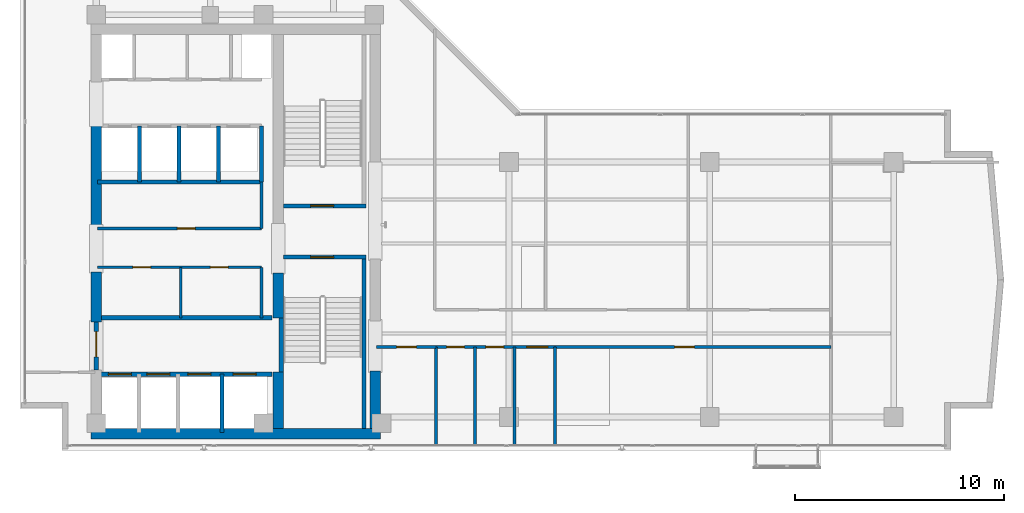
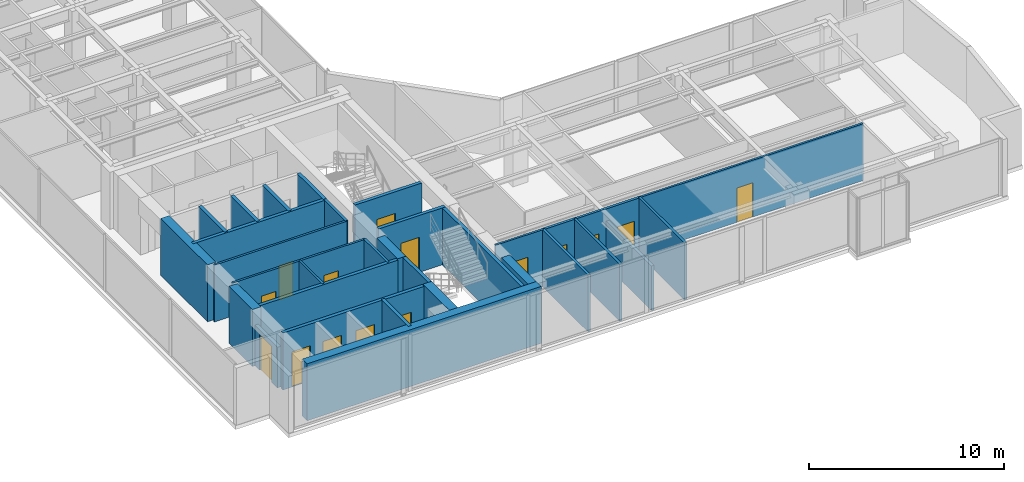
# One storey, part 16 of 23: 31 walls, 15 doors, 15 openings.
"""IFC4 building model written with IfcOpenShell, lengths in metres."""

from ifc_helpers import new_model, si_unit, direction, frame, frame_2d, origin, place, context, subcontext, project, spatial, rectangle, extrude, material, layer, layer_set, type_object, element, fill, save


model = new_model("IFC4")

# Units and contexts
model_context = context("Model", 3, precision=1e-05, world=origin(), true_north=direction((0.0, 1.0)))
body_context = subcontext(model_context, "Body", "Model", "MODEL_VIEW")
ifc_project = project(units=[si_unit("LENGTHUNIT", "METRE"), si_unit("AREAUNIT", "SQUARE_METRE"), si_unit("VOLUMEUNIT", "CUBIC_METRE"), si_unit("PLANEANGLEUNIT", "RADIAN"), si_unit("MASSUNIT", "GRAM", prefix="KILO")], contexts=[model_context])

# Site, building, storey
site_placement = place(None, origin())
site = spatial("IfcSite", under=ifc_project, at=site_placement, CompositionType="ELEMENT")
building_placement = place(site_placement, origin())
building = spatial("IfcBuilding", under=site, at=building_placement, Name="Kolvaren Waterfront Exchange", CompositionType="ELEMENT")
storey_placement = place(building_placement, frame((0.0, 0.0, 289.39990234375)))
storey = spatial("IfcBuildingStorey", under=building, at=storey_placement, Name="L74", CompositionType="ELEMENT", Elevation=289.39990234375)

# Wall, opening, door
ifc_material_1 = material(Name="Precast concrete C40/50", Category="concrete")
ifc_layer_1 = layer(ifc_material_1, 0.199951171875, Name="Precast concrete C40/50")
ifc_layer_set_1 = layer_set([ifc_layer_1], Name="Precast concrete C40/50")
wall_type_1 = type_object("IfcWallType", Name="ARC-FIRE-200", PredefinedType="PARTITIONING", material=ifc_layer_set_1)
wall_1_placement = place(storey_placement, frame((16.39990234375, 12.85009765625, 0.0), z_axis=(0.0, 0.0, 1.0), x_axis=(1.0, 0.0, 0.0)))
wall_1 = element("IfcWall", 1, at=wall_1_placement, inside=storey, type_object=wall_type_1, Name="L74 interior wall PW-L74-ST1-THROAT-S", PredefinedType="PARTITIONING", context=body_context, shape_type="SweptSolid", body=[
    extrude(rectangle(XDim=3.960205078125, YDim=0.199951171875, at=frame_2d((1.97998046875, 0.0))), origin(), (0.0, 0.0, 1.0), 3.56005859375),
])
opening_1_placement = place(wall_1_placement, frame((1.3037109375, 0.0, 0.0)))
opening_1 = element("IfcOpeningElement", 2, at=opening_1_placement, cuts=wall_1, Name="Opening FD2", PredefinedType="OPENING", context=body_context, shape_type="SweptSolid", body=[
    extrude(rectangle(XDim=1.10009765625, YDim=2.199951171875, at=frame_2d((0.550048828125, 1.10009765625))), frame((0.0, 0.10986328125, 0.0), z_axis=(0.0, -1.0, 0.0), x_axis=(1.0, 0.0, 0.0)), (0.0, 0.0, 1.0), 0.219970703125),
])
ifc_material_2 = material(Name="Pressed steel smoke-seal fire door", Category="steel")
door_type_1 = type_object("IfcDoorType", Name="ARC-FD-1100", OperationType="NOTDEFINED", PredefinedType="DOOR", material=ifc_material_2)
door_1_placement = place(opening_1_placement, frame((1.10009765625, 0.0, 0.0), z_axis=(0.0, 0.0, 1.0), x_axis=(-1.0, 0.0, 0.0)))
door_1 = element("IfcDoor", 3, at=door_1_placement, inside=storey, type_object=door_type_1, Name="L74 door DR-L74-ST1-IN (FD2)", OperationType="SINGLE_SWING_LEFT", OverallHeight=2.199951171875, OverallWidth=1.10009765625, PredefinedType="DOOR", context=body_context, shape_type="SweptSolid", body=[
    extrude(rectangle(XDim=1.10009765625, YDim=2.199951171875, at=frame_2d((0.550048828125, 1.10009765625))), frame((0.0, 0.02490234375, 0.0), z_axis=(0.0, -1.0, 0.0), x_axis=(1.0, 0.0, 0.0)), (0.0, 0.0, 1.0), 0.050048828125),
])
fill(opening_1, door_1)

wall_2_placement = place(storey_placement, frame((16.409912109375, 15.300048828125, 0.0), z_axis=(0.0, 0.0, 1.0), x_axis=(1.0, 0.0, 0.0)))
wall_2 = element("IfcWall", 4, at=wall_2_placement, inside=storey, type_object=wall_type_1, Name="L74 interior wall PW-L74-ST2-THROAT-N", PredefinedType="PARTITIONING", context=body_context, shape_type="SweptSolid", body=[
    extrude(rectangle(XDim=3.9501953125, YDim=0.199951171875, at=frame_2d((1.97509765625, 0.0))), origin(), (0.0, 0.0, 1.0), 3.56005859375),
])
opening_2_placement = place(wall_2_placement, frame((1.293701171875, 0.0, 0.0)))
opening_2 = element("IfcOpeningElement", 5, at=opening_2_placement, cuts=wall_2, Name="Opening FD2", PredefinedType="OPENING", context=body_context, shape_type="SweptSolid", body=[
    extrude(rectangle(XDim=1.10009765625, YDim=2.199951171875, at=frame_2d((0.550048828125, 1.10009765625))), frame((0.0, 0.10986328125, 0.0), z_axis=(0.0, -1.0, 0.0), x_axis=(1.0, 0.0, 0.0)), (0.0, 0.0, 1.0), 0.219970703125),
])
door_2_placement = place(opening_2_placement, origin())
door_2 = element("IfcDoor", 6, at=door_2_placement, inside=storey, type_object=door_type_1, Name="L74 door DR-L74-ST2-IN (FD2)", OperationType="SINGLE_SWING_RIGHT", OverallHeight=2.199951171875, OverallWidth=1.10009765625, PredefinedType="DOOR", context=body_context, shape_type="SweptSolid", body=[
    extrude(rectangle(XDim=1.10009765625, YDim=2.199951171875, at=frame_2d((0.550048828125, 1.10009765625))), frame((0.0, 0.02490234375, 0.0), z_axis=(0.0, -1.0, 0.0), x_axis=(1.0, 0.0, 0.0)), (0.0, 0.0, 1.0), 0.050048828125),
])
fill(opening_2, door_2)

# Wall
wall_3_placement = place(storey_placement, frame((7.5, 9.949951171875, 0.0), z_axis=(0.0, 0.0, 1.0), x_axis=(1.0, 0.0, 0.0)))
element("IfcWall", 7, at=wall_3_placement, inside=storey, type_object=wall_type_1, Name="L74 interior wall PW-L74-FF-N", PredefinedType="PARTITIONING", context=body_context, shape_type="SweptSolid", body=[
    extrude(rectangle(XDim=8.35009765625, YDim=0.199951171875, at=frame_2d((4.175048828125, 0.0))), origin(), (0.0, 0.0, 1.0), 3.56005859375),
])

# Wall, opening, door
wall_4_placement = place(storey_placement, frame((7.449951171875, 7.449951171875, 0.0), z_axis=(0.0, 0.0, 1.0), x_axis=(0.0, 1.0, 0.0)))
wall_4 = element("IfcWall", 8, at=wall_4_placement, inside=storey, type_object=wall_type_1, Name="L74 interior wall PW-L74-FF-W-DOOR", PredefinedType="PARTITIONING", context=body_context, shape_type="SweptSolid", body=[
    extrude(rectangle(XDim=2.300048828125, YDim=0.199951171875, at=frame_2d((1.14990234375, 0.0))), origin(), (0.0, 0.0, 1.0), 2.5400390625),
])
opening_3_placement = place(wall_4_placement, frame((0.63330078125, 0.0, 0.0)))
opening_3 = element("IfcOpeningElement", 9, at=opening_3_placement, cuts=wall_4, Name="Opening FD3", PredefinedType="OPENING", context=body_context, shape_type="SweptSolid", body=[
    extrude(rectangle(XDim=1.199951171875, YDim=2.25, at=frame_2d((0.60009765625, 1.125))), frame((0.0, 0.10986328125, 0.0), z_axis=(0.0, -1.0, 0.0), x_axis=(1.0, 0.0, 0.0)), (0.0, 0.0, 1.0), 0.219970703125),
])
ifc_material_3 = material(Name="Pressed steel fire door", Category="steel")
door_type_2 = type_object("IfcDoorType", Name="ARC-FD-1200", OperationType="NOTDEFINED", PredefinedType="DOOR", material=ifc_material_3)
door_3_placement = place(opening_3_placement, frame((1.199951171875, 0.0, 0.0), z_axis=(0.0, 0.0, 1.0), x_axis=(-1.0, 0.0, 0.0)))
door_3 = element("IfcDoor", 10, at=door_3_placement, inside=storey, type_object=door_type_2, Name="L74 door DR-L74-FF-OUT (FD3)", OperationType="SINGLE_SWING_LEFT", OverallHeight=2.25, OverallWidth=1.199951171875, PredefinedType="DOOR", context=body_context, shape_type="SweptSolid", body=[
    extrude(rectangle(XDim=1.199951171875, YDim=2.25, at=frame_2d((0.60009765625, 1.125))), frame((0.0, 0.02490234375, 0.0), z_axis=(0.0, -1.0, 0.0), x_axis=(1.0, 0.0, 0.0)), (0.0, 0.0, 1.0), 0.050048828125),
])
fill(opening_3, door_3)

# Wall, openings, doors
ifc_material_4 = material(Name="Acoustic gypsum steel stud", Category="steel")
ifc_layer_2 = layer(ifc_material_4, 0.125, Name="Acoustic gypsum steel stud")
ifc_layer_set_2 = layer_set([ifc_layer_2], Name="Acoustic gypsum steel stud")
wall_type_2 = type_object("IfcWallType", Name="ARC-PART-125", PredefinedType="PARTITIONING", material=ifc_layer_set_2)
wall_5_placement = place(storey_placement, frame((7.5, 12.360107421875, 0.0), z_axis=(0.0, 0.0, 1.0), x_axis=(1.0, 0.0, 0.0)))
wall_5 = element("IfcWall", 11, at=wall_5_placement, inside=storey, type_object=wall_type_2, Name="L74 interior wall PW-L74-REC-HI-S", PredefinedType="PARTITIONING", context=body_context, shape_type="SweptSolid", body=[
    extrude(rectangle(XDim=7.85009765625, YDim=0.125, at=frame_2d((3.925048828125, 0.0))), origin(), (0.0, 0.0, 1.0), 3.56005859375),
])
opening_4_placement = place(wall_5_placement, frame((1.699951171875, 0.0, 0.0)))
opening_4 = element("IfcOpeningElement", 12, at=opening_4_placement, cuts=wall_5, Name="Opening D01", PredefinedType="OPENING", context=body_context, shape_type="SweptSolid", body=[
    extrude(rectangle(XDim=0.85009765625, YDim=2.14990234375, at=frame_2d((0.425048828125, 1.074951171875))), frame((0.0, 0.072509765625, 0.0), z_axis=(0.0, -1.0, 0.0), x_axis=(1.0, 0.0, 0.0)), (0.0, 0.0, 1.0), 0.14501953125),
])
opening_5_placement = place(wall_5_placement, frame((5.41259765625, 0.0, 0.0)))
opening_5 = element("IfcOpeningElement", 13, at=opening_5_placement, cuts=wall_5, Name="Opening D01", PredefinedType="OPENING", context=body_context, shape_type="SweptSolid", body=[
    extrude(rectangle(XDim=0.85009765625, YDim=2.14990234375, at=frame_2d((0.425048828125, 1.074951171875))), frame((0.0, 0.072509765625, 0.0), z_axis=(0.0, -1.0, 0.0), x_axis=(1.0, 0.0, 0.0)), (0.0, 0.0, 1.0), 0.14501953125),
])
ifc_material_5 = material(Name="Oak veneer timber leaf", Category="wood")
door_type_3 = type_object("IfcDoorType", Name="ARC-DR-900", OperationType="NOTDEFINED", PredefinedType="DOOR", material=ifc_material_5)
door_4_placement = place(opening_4_placement, origin())
door_4 = element("IfcDoor", 14, at=door_4_placement, inside=storey, type_object=door_type_3, Name="L74 door DR-L74-REC-HI-D1 (D01)", OperationType="SINGLE_SWING_RIGHT", OverallHeight=2.14990234375, OverallWidth=0.85009765625, PredefinedType="DOOR", context=body_context, shape_type="SweptSolid", body=[
    extrude(rectangle(XDim=0.85009765625, YDim=2.14990234375, at=frame_2d((0.425048828125, 1.074951171875))), frame((0.0, 0.02490234375, 0.0), z_axis=(0.0, -1.0, 0.0), x_axis=(1.0, 0.0, 0.0)), (0.0, 0.0, 1.0), 0.050048828125),
])
fill(opening_4, door_4)
door_5_placement = place(opening_5_placement, origin())
door_5 = element("IfcDoor", 15, at=door_5_placement, inside=storey, type_object=door_type_3, Name="L74 door DR-L74-REC-HI-D2 (D01)", OperationType="SINGLE_SWING_LEFT", OverallHeight=2.14990234375, OverallWidth=0.85009765625, PredefinedType="DOOR", context=body_context, shape_type="SweptSolid", body=[
    extrude(rectangle(XDim=0.85009765625, YDim=2.14990234375, at=frame_2d((0.425048828125, 1.074951171875))), frame((0.0, 0.02490234375, 0.0), z_axis=(0.0, -1.0, 0.0), x_axis=(1.0, 0.0, 0.0)), (0.0, 0.0, 1.0), 0.050048828125),
])
fill(opening_5, door_5)

# Wall, opening, door
wall_6_placement = place(storey_placement, frame((7.5, 14.219970703125, 0.0), z_axis=(0.0, 0.0, 1.0), x_axis=(1.0, 0.0, 0.0)))
wall_6 = element("IfcWall", 16, at=wall_6_placement, inside=storey, type_object=wall_type_2, Name="L74 interior wall PW-L74-REC-HI-N", PredefinedType="PARTITIONING", context=body_context, shape_type="SweptSolid", body=[
    extrude(rectangle(XDim=7.85009765625, YDim=0.125, at=frame_2d((3.925048828125, 0.0))), origin(), (0.0, 0.0, 1.0), 3.56005859375),
])
opening_6_placement = place(wall_6_placement, frame((3.824951171875, 0.0, 0.0)))
opening_6 = element("IfcOpeningElement", 17, at=opening_6_placement, cuts=wall_6, Name="Opening D01", PredefinedType="OPENING", context=body_context, shape_type="SweptSolid", body=[
    extrude(rectangle(XDim=0.85009765625, YDim=2.14990234375, at=frame_2d((0.425048828125, 1.074951171875))), frame((0.0, 0.072509765625, 0.0), z_axis=(0.0, -1.0, 0.0), x_axis=(1.0, 0.0, 0.0)), (0.0, 0.0, 1.0), 0.14501953125),
])
door_6_placement = place(opening_6_placement, origin())
door_6 = element("IfcDoor", 18, at=door_6_placement, inside=storey, type_object=door_type_3, Name="L74 door DR-L74-REC-HI-D3 (D01)", OperationType="SINGLE_SWING_RIGHT", OverallHeight=2.14990234375, OverallWidth=0.85009765625, PredefinedType="DOOR", context=body_context, shape_type="SweptSolid", body=[
    extrude(rectangle(XDim=0.85009765625, YDim=2.14990234375, at=frame_2d((0.425048828125, 1.074951171875))), frame((0.0, 0.02490234375, 0.0), z_axis=(0.0, -1.0, 0.0), x_axis=(1.0, 0.0, 0.0)), (0.0, 0.0, 1.0), 0.050048828125),
])
fill(opening_6, door_6)

# Wall
wall_7_placement = place(storey_placement, frame((11.5, 9.949951171875, 0.0), z_axis=(0.0, 0.0, 1.0), x_axis=(0.0, 1.0, 0.0)))
element("IfcWall", 19, at=wall_7_placement, inside=storey, type_object=wall_type_2, Name="L74 interior wall PW-L74-REC-HI-MS1", PredefinedType="PARTITIONING", context=body_context, shape_type="SweptSolid", body=[
    extrude(rectangle(XDim=2.41015625, YDim=0.125, at=frame_2d((1.205078125, 0.0))), origin(), (0.0, 0.0, 1.0), 3.56005859375),
])

# Wall, opening, door
wall_8_placement = place(storey_placement, frame((20.85009765625, 8.550048828125, 0.0), z_axis=(0.0, 0.0, 1.0), x_axis=(1.0, 0.0, 0.0)))
wall_8 = element("IfcWall", 20, at=wall_8_placement, inside=storey, type_object=wall_type_2, Name="L74 interior wall PW-L74-SWST3-N", PredefinedType="PARTITIONING", context=body_context, shape_type="SweptSolid", body=[
    extrude(rectangle(XDim=2.849853515625, YDim=0.125, at=frame_2d((1.4248046875, 0.0))), origin(), (0.0, 0.0, 1.0), 3.56005859375),
])
opening_7_placement = place(wall_8_placement, frame((0.971435546875, 0.0, 0.0)))
opening_7 = element("IfcOpeningElement", 21, at=opening_7_placement, cuts=wall_8, Name="Opening D02", PredefinedType="OPENING", context=body_context, shape_type="SweptSolid", body=[
    extrude(rectangle(XDim=0.949951171875, YDim=2.14990234375, at=frame_2d((0.47509765625, 1.074951171875))), frame((0.0, 0.072509765625, 0.0), z_axis=(0.0, -1.0, 0.0), x_axis=(1.0, 0.0, 0.0)), (0.0, 0.0, 1.0), 0.14501953125),
])
ifc_material_6 = material(Name="Oak veneer acoustic timber", Category="wood")
door_type_4 = type_object("IfcDoorType", Name="ARC-DR-950", OperationType="NOTDEFINED", PredefinedType="DOOR", material=ifc_material_6)
door_7_placement = place(opening_7_placement, origin())
door_7 = element("IfcDoor", 22, at=door_7_placement, inside=storey, type_object=door_type_4, Name="L74 door DR-L74-SWST3-D (D02)", OperationType="SINGLE_SWING_RIGHT", OverallHeight=2.14990234375, OverallWidth=0.949951171875, PredefinedType="DOOR", context=body_context, shape_type="SweptSolid", body=[
    extrude(rectangle(XDim=0.949951171875, YDim=2.14990234375, at=frame_2d((0.47509765625, 1.074951171875))), frame((0.0, 0.02490234375, 0.0), z_axis=(0.0, -1.0, 0.0), x_axis=(1.0, 0.0, 0.0)), (0.0, 0.0, 1.0), 0.050048828125),
])
fill(opening_7, door_7)

wall_9_placement = place(storey_placement, frame((29.39990234375, 8.550048828125, 0.0), z_axis=(0.0, 0.0, 1.0), x_axis=(1.0, 0.0, 0.0)))
wall_9 = element("IfcWall", 23, at=wall_9_placement, inside=storey, type_object=wall_type_2, Name="L74 interior wall PW-L74-ES-CORR", PredefinedType="PARTITIONING", context=body_context, shape_type="SweptSolid", body=[
    extrude(rectangle(XDim=13.2001953125, YDim=0.125, at=frame_2d((6.60009765625, 0.0))), origin(), (0.0, 0.0, 1.0), 3.56005859375),
])
opening_8_placement = place(wall_9_placement, frame((5.719970703125, 0.0, 0.0)))
opening_8 = element("IfcOpeningElement", 24, at=opening_8_placement, cuts=wall_9, Name="Opening D02", PredefinedType="OPENING", context=body_context, shape_type="SweptSolid", body=[
    extrude(rectangle(XDim=0.949951171875, YDim=2.14990234375, at=frame_2d((0.47509765625, 1.074951171875))), frame((0.0, 0.072509765625, 0.0), z_axis=(0.0, -1.0, 0.0), x_axis=(1.0, 0.0, 0.0)), (0.0, 0.0, 1.0), 0.14501953125),
])
door_8_placement = place(opening_8_placement, origin())
door_8 = element("IfcDoor", 25, at=door_8_placement, inside=storey, type_object=door_type_4, Name="L74 door DR-L74-ES-D-1 (D02)", OperationType="SINGLE_SWING_LEFT", OverallHeight=2.14990234375, OverallWidth=0.949951171875, PredefinedType="DOOR", context=body_context, shape_type="SweptSolid", body=[
    extrude(rectangle(XDim=0.949951171875, YDim=2.14990234375, at=frame_2d((0.47509765625, 1.074951171875))), frame((0.0, 0.02490234375, 0.0), z_axis=(0.0, -1.0, 0.0), x_axis=(1.0, 0.0, 0.0)), (0.0, 0.0, 1.0), 0.050048828125),
])
fill(opening_8, door_8)

# Walls
ifc_material_7 = material(Name="Gypsum fireboard steel stud", Category="steel")
ifc_layer_3 = layer(ifc_material_7, 0.14990234375, Name="Gypsum fireboard steel stud")
ifc_layer_set_3 = layer_set([ifc_layer_3], Name="Gypsum fireboard steel stud")
wall_type_3 = type_object("IfcWallType", Name="ARC-PART-150", PredefinedType="PARTITIONING", material=ifc_layer_set_3)
wall_10_placement = place(storey_placement, frame((15.35009765625, 9.949951171875, 0.0), z_axis=(0.0, 0.0, 1.0), x_axis=(0.0, 1.0, 0.0)))
element("IfcWall", 26, at=wall_10_placement, inside=storey, type_object=wall_type_3, Name="L74 interior wall PW-L74-REC-HI-E1", PredefinedType="PARTITIONING", context=body_context, shape_type="SweptSolid", body=[
    extrude(rectangle(XDim=2.41015625, YDim=0.14990234375, at=frame_2d((1.205078125, 0.0))), origin(), (0.0, 0.0, 1.0), 3.56005859375),
])
wall_11_placement = place(storey_placement, frame((15.35009765625, 14.219970703125, 0.0), z_axis=(0.0, 0.0, 1.0), x_axis=(0.0, 1.0, 0.0)))
element("IfcWall", 27, at=wall_11_placement, inside=storey, type_object=wall_type_3, Name="L74 interior wall PW-L74-REC-HI-E2", PredefinedType="PARTITIONING", context=body_context, shape_type="SweptSolid", body=[
    extrude(rectangle(XDim=2.22998046875, YDim=0.14990234375, at=frame_2d((1.114990234375, 0.0))), origin(), (0.0, 0.0, 1.0), 3.56005859375),
])
ifc_material_8 = material(Name="Moisture-resistant gypsum stud")
ifc_layer_4 = layer(ifc_material_8, 0.14990234375, Name="Moisture-resistant gypsum stud")
ifc_layer_set_4 = layer_set([ifc_layer_4], Name="Moisture-resistant gypsum stud")
wall_type_4 = type_object("IfcWallType", Name="ARC-PLUMB-150", PredefinedType="PLUMBINGWALL", material=ifc_layer_set_4)
wall_12_placement = place(storey_placement, frame((23.699951171875, 3.840087890625, 0.0), z_axis=(0.0, 0.0, 1.0), x_axis=(0.0, 1.0, 0.0)))
element("IfcWall", 28, at=wall_12_placement, inside=storey, type_object=wall_type_4, Name="L74 interior wall PW-L74-WC-0", PredefinedType="PLUMBINGWALL", context=body_context, shape_type="SweptSolid", body=[
    extrude(rectangle(XDim=4.7099609375, YDim=0.14990234375, at=frame_2d((2.35498046875, 0.0))), origin(), (0.0, 0.0, 1.0), 3.56005859375),
])

# Wall, openings, doors
wall_13_placement = place(storey_placement, frame((23.699951171875, 8.550048828125, 0.0), z_axis=(0.0, 0.0, 1.0), x_axis=(1.0, 0.0, 0.0)))
wall_13 = element("IfcWall", 29, at=wall_13_placement, inside=storey, type_object=wall_type_4, Name="L74 interior wall PW-L74-WC-N", PredefinedType="PLUMBINGWALL", context=body_context, shape_type="SweptSolid", body=[
    extrude(rectangle(XDim=5.699951171875, YDim=0.14990234375, at=frame_2d((2.85009765625, 0.0))), origin(), (0.0, 0.0, 1.0), 3.56005859375),
])
opening_9_placement = place(wall_13_placement, frame((0.514892578125, 0.0, 0.0)))
opening_9 = element("IfcOpeningElement", 30, at=opening_9_placement, cuts=wall_13, Name="Opening D01", PredefinedType="OPENING", context=body_context, shape_type="SweptSolid", body=[
    extrude(rectangle(XDim=0.85009765625, YDim=2.14990234375, at=frame_2d((0.425048828125, 1.074951171875))), frame((0.0, 0.0849609375, 0.0), z_axis=(0.0, -1.0, 0.0), x_axis=(1.0, 0.0, 0.0)), (0.0, 0.0, 1.0), 0.169921875),
])
opening_10_placement = place(wall_13_placement, frame((2.39501953125, 0.0, 0.0)))
opening_10 = element("IfcOpeningElement", 31, at=opening_10_placement, cuts=wall_13, Name="Opening D01", PredefinedType="OPENING", context=body_context, shape_type="SweptSolid", body=[
    extrude(rectangle(XDim=0.85009765625, YDim=2.14990234375, at=frame_2d((0.425048828125, 1.074951171875))), frame((0.0, 0.0849609375, 0.0), z_axis=(0.0, -1.0, 0.0), x_axis=(1.0, 0.0, 0.0)), (0.0, 0.0, 1.0), 0.169921875),
])
opening_11_placement = place(wall_13_placement, frame((4.35009765625, 0.0, 0.0)))
opening_11 = element("IfcOpeningElement", 32, at=opening_11_placement, cuts=wall_13, Name="Opening D03", PredefinedType="OPENING", context=body_context, shape_type="SweptSolid", body=[
    extrude(rectangle(XDim=1.0, YDim=2.199951171875, at=frame_2d((0.5, 1.10009765625))), frame((0.0, 0.0849609375, 0.0), z_axis=(0.0, -1.0, 0.0), x_axis=(1.0, 0.0, 0.0)), (0.0, 0.0, 1.0), 0.169921875),
])
ifc_material_9 = material(Name="Oak veneer accessible timber", Category="wood")
door_type_5 = type_object("IfcDoorType", Name="ARC-DR-1000", OperationType="NOTDEFINED", PredefinedType="DOOR", material=ifc_material_9)
door_9_placement = place(opening_11_placement, origin())
door_9 = element("IfcDoor", 33, at=door_9_placement, inside=storey, type_object=door_type_5, Name="L74 door DR-L74-WCA-D (D03)", OperationType="SINGLE_SWING_RIGHT", OverallHeight=2.199951171875, OverallWidth=1.0, PredefinedType="DOOR", context=body_context, shape_type="SweptSolid", body=[
    extrude(rectangle(XDim=1.0, YDim=2.199951171875, at=frame_2d((0.5, 1.10009765625))), frame((0.0, 0.02490234375, 0.0), z_axis=(0.0, -1.0, 0.0), x_axis=(1.0, 0.0, 0.0)), (0.0, 0.0, 1.0), 0.050048828125),
])
fill(opening_11, door_9)
door_10_placement = place(opening_9_placement, origin())
door_10 = element("IfcDoor", 34, at=door_10_placement, inside=storey, type_object=door_type_3, Name="L74 door DR-L74-WCM-D (D01)", OperationType="SINGLE_SWING_RIGHT", OverallHeight=2.14990234375, OverallWidth=0.85009765625, PredefinedType="DOOR", context=body_context, shape_type="SweptSolid", body=[
    extrude(rectangle(XDim=0.85009765625, YDim=2.14990234375, at=frame_2d((0.425048828125, 1.074951171875))), frame((0.0, 0.02490234375, 0.0), z_axis=(0.0, -1.0, 0.0), x_axis=(1.0, 0.0, 0.0)), (0.0, 0.0, 1.0), 0.050048828125),
])
fill(opening_9, door_10)
door_11_placement = place(opening_10_placement, origin())
door_11 = element("IfcDoor", 35, at=door_11_placement, inside=storey, type_object=door_type_3, Name="L74 door DR-L74-WCF-D (D01)", OperationType="SINGLE_SWING_LEFT", OverallHeight=2.14990234375, OverallWidth=0.85009765625, PredefinedType="DOOR", context=body_context, shape_type="SweptSolid", body=[
    extrude(rectangle(XDim=0.85009765625, YDim=2.14990234375, at=frame_2d((0.425048828125, 1.074951171875))), frame((0.0, 0.02490234375, 0.0), z_axis=(0.0, -1.0, 0.0), x_axis=(1.0, 0.0, 0.0)), (0.0, 0.0, 1.0), 0.050048828125),
])
fill(opening_10, door_11)

# Walls
wall_14_placement = place(storey_placement, frame((25.580078125, 3.840087890625, 0.0), z_axis=(0.0, 0.0, 1.0), x_axis=(0.0, 1.0, 0.0)))
element("IfcWall", 36, at=wall_14_placement, inside=storey, type_object=wall_type_4, Name="L74 interior wall PW-L74-WC-1", PredefinedType="PLUMBINGWALL", context=body_context, shape_type="SweptSolid", body=[
    extrude(rectangle(XDim=4.7099609375, YDim=0.14990234375, at=frame_2d((2.35498046875, 0.0))), origin(), (0.0, 0.0, 1.0), 3.56005859375),
])
wall_15_placement = place(storey_placement, frame((27.4599609375, 3.840087890625, 0.0), z_axis=(0.0, 0.0, 1.0), x_axis=(0.0, 1.0, 0.0)))
element("IfcWall", 37, at=wall_15_placement, inside=storey, type_object=wall_type_4, Name="L74 interior wall PW-L74-WC-2", PredefinedType="PLUMBINGWALL", context=body_context, shape_type="SweptSolid", body=[
    extrude(rectangle(XDim=4.7099609375, YDim=0.14990234375, at=frame_2d((2.35498046875, 0.0))), origin(), (0.0, 0.0, 1.0), 2.798095703125),
])
wall_16_placement = place(storey_placement, frame((29.39990234375, 3.840087890625, 0.0), z_axis=(0.0, 0.0, 1.0), x_axis=(0.0, 1.0, 0.0)))
element("IfcWall", 38, at=wall_16_placement, inside=storey, type_object=wall_type_4, Name="L74 interior wall PW-L74-WC-3", PredefinedType="PLUMBINGWALL", context=body_context, shape_type="SweptSolid", body=[
    extrude(rectangle(XDim=4.7099609375, YDim=0.14990234375, at=frame_2d((2.35498046875, 0.0))), origin(), (0.0, 0.0, 1.0), 3.56005859375),
])
ifc_material_10 = material(Name="Concrete C40/50", Category="concrete")
ifc_layer_5 = layer(ifc_material_10, 0.199951171875, Name="Concrete C40/50")
ifc_layer_set_5 = layer_set([ifc_layer_5], Name="Concrete C40/50")
wall_type_5 = type_object("IfcWallType", Name="ARC-SHAFT-200", PredefinedType="PARTITIONING", material=ifc_layer_set_5)
wall_17_placement = place(storey_placement, frame((16.300048828125, 7.360107421875, 0.0), z_axis=(0.0, 0.0, 1.0), x_axis=(0.0, 1.0, 0.0)))
element("IfcWall", 39, at=wall_17_placement, inside=storey, type_object=wall_type_5, Name="L74 structural stairwell wall PW-L74-ST1-W", PredefinedType="SHEAR", context=body_context, shape_type="SweptSolid", body=[
    extrude(rectangle(XDim=2.579833984375, YDim=0.199951171875, at=frame_2d((1.2900390625, 0.0))), origin(), (0.0, 0.0, 1.0), 3.56005859375),
])
wall_18_placement = place(storey_placement, frame((20.260009765625, 4.659912109375, 0.0), z_axis=(0.0, 0.0, 1.0), x_axis=(0.0, 1.0, 0.0)))
element("IfcWall", 40, at=wall_18_placement, inside=storey, type_object=wall_type_5, Name="L74 structural stairwell wall PW-L74-ST1-E", PredefinedType="SHEAR", context=body_context, shape_type="SweptSolid", body=[
    extrude(rectangle(XDim=8.090087890625, YDim=0.199951171875, at=frame_2d((4.044921875, 0.0))), origin(), (0.0, 0.0, 1.0), 3.56005859375),
])

# Wall, openings, doors
wall_19_placement = place(storey_placement, frame((7.5, 7.25, 0.0), z_axis=(0.0, 0.0, 1.0), x_axis=(1.0, 0.0, 0.0)))
wall_19 = element("IfcWall", 41, at=wall_19_placement, inside=storey, type_object=wall_type_5, Name="L74 interior wall PW-L74-FF-S", PredefinedType="PARTITIONING", context=body_context, shape_type="SweptSolid", body=[
    extrude(rectangle(XDim=8.35009765625, YDim=0.199951171875, at=frame_2d((4.175048828125, 0.0))), origin(), (0.0, 0.0, 1.0), 3.56005859375),
])
opening_12_placement = place(wall_19_placement, frame((0.530029296875, 0.0, 0.0)))
opening_12 = element("IfcOpeningElement", 42, at=opening_12_placement, cuts=wall_19, Name="Opening LD1", PredefinedType="OPENING", context=body_context, shape_type="SweptSolid", body=[
    extrude(rectangle(XDim=1.10009765625, YDim=2.199951171875, at=frame_2d((0.550048828125, 1.10009765625))), frame((0.0, 0.10986328125, 0.0), z_axis=(0.0, -1.0, 0.0), x_axis=(1.0, 0.0, 0.0)), (0.0, 0.0, 1.0), 0.219970703125),
])
opening_13_placement = place(wall_19_placement, frame((2.3701171875, 0.0, 0.0)))
opening_13 = element("IfcOpeningElement", 43, at=opening_13_placement, cuts=wall_19, Name="Opening LD1", PredefinedType="OPENING", context=body_context, shape_type="SweptSolid", body=[
    extrude(rectangle(XDim=1.10009765625, YDim=2.199951171875, at=frame_2d((0.550048828125, 1.10009765625))), frame((0.0, 0.10986328125, 0.0), z_axis=(0.0, -1.0, 0.0), x_axis=(1.0, 0.0, 0.0)), (0.0, 0.0, 1.0), 0.219970703125),
])
opening_14_placement = place(wall_19_placement, frame((4.330078125, 0.0, 0.0)))
opening_14 = element("IfcOpeningElement", 44, at=opening_14_placement, cuts=wall_19, Name="Opening LD1", PredefinedType="OPENING", context=body_context, shape_type="SweptSolid", body=[
    extrude(rectangle(XDim=1.10009765625, YDim=2.199951171875, at=frame_2d((0.550048828125, 1.10009765625))), frame((0.0, 0.10986328125, 0.0), z_axis=(0.0, -1.0, 0.0), x_axis=(1.0, 0.0, 0.0)), (0.0, 0.0, 1.0), 0.219970703125),
])
opening_15_placement = place(wall_19_placement, frame((6.5, 0.0, 0.0)))
opening_15 = element("IfcOpeningElement", 45, at=opening_15_placement, cuts=wall_19, Name="Opening LD1", PredefinedType="OPENING", context=body_context, shape_type="SweptSolid", body=[
    extrude(rectangle(XDim=1.10009765625, YDim=2.199951171875, at=frame_2d((0.550048828125, 1.10009765625))), frame((0.0, 0.10986328125, 0.0), z_axis=(0.0, -1.0, 0.0), x_axis=(1.0, 0.0, 0.0)), (0.0, 0.0, 1.0), 0.219970703125),
])
ifc_material_11 = material(Name="Stainless steel sliding landing door", Category="steel")
door_type_6 = type_object("IfcDoorType", Name="ARC-LD-FF", OperationType="SLIDING_TO_LEFT", PredefinedType="DOOR", material=ifc_material_11)
door_12_placement = place(opening_12_placement, origin())
door_12 = element("IfcDoor", 46, at=door_12_placement, inside=storey, type_object=door_type_6, Name="L74 door LD-L74-FFL1 (LD1)", OperationType="SLIDING_TO_LEFT", OverallHeight=2.199951171875, OverallWidth=1.10009765625, PredefinedType="DOOR", context=body_context, shape_type="SweptSolid", body=[
    extrude(rectangle(XDim=1.10009765625, YDim=2.199951171875, at=frame_2d((0.550048828125, 1.10009765625))), frame((0.0, 0.02490234375, 0.0), z_axis=(0.0, -1.0, 0.0), x_axis=(1.0, 0.0, 0.0)), (0.0, 0.0, 1.0), 0.050048828125),
])
fill(opening_12, door_12)
door_13_placement = place(opening_13_placement, origin())
door_13 = element("IfcDoor", 47, at=door_13_placement, inside=storey, type_object=door_type_6, Name="L74 door LD-L74-FFL2 (LD1)", OperationType="SLIDING_TO_LEFT", OverallHeight=2.199951171875, OverallWidth=1.10009765625, PredefinedType="DOOR", context=body_context, shape_type="SweptSolid", body=[
    extrude(rectangle(XDim=1.10009765625, YDim=2.199951171875, at=frame_2d((0.550048828125, 1.10009765625))), frame((0.0, 0.02490234375, 0.0), z_axis=(0.0, -1.0, 0.0), x_axis=(1.0, 0.0, 0.0)), (0.0, 0.0, 1.0), 0.050048828125),
])
fill(opening_13, door_13)
door_14_placement = place(opening_14_placement, origin())
door_14 = element("IfcDoor", 48, at=door_14_placement, inside=storey, type_object=door_type_6, Name="L74 door LD-L74-GL1 (LD1)", OperationType="SLIDING_TO_LEFT", OverallHeight=2.199951171875, OverallWidth=1.10009765625, PredefinedType="DOOR", context=body_context, shape_type="SweptSolid", body=[
    extrude(rectangle(XDim=1.10009765625, YDim=2.199951171875, at=frame_2d((0.550048828125, 1.10009765625))), frame((0.0, 0.02490234375, 0.0), z_axis=(0.0, -1.0, 0.0), x_axis=(1.0, 0.0, 0.0)), (0.0, 0.0, 1.0), 0.050048828125),
])
fill(opening_14, door_14)
door_15_placement = place(opening_15_placement, origin())
door_15 = element("IfcDoor", 49, at=door_15_placement, inside=storey, type_object=door_type_6, Name="L74 door LD-L74-GL2 (LD1)", OperationType="SLIDING_TO_LEFT", OverallHeight=2.199951171875, OverallWidth=1.10009765625, PredefinedType="DOOR", context=body_context, shape_type="SweptSolid", body=[
    extrude(rectangle(XDim=1.10009765625, YDim=2.199951171875, at=frame_2d((0.550048828125, 1.10009765625))), frame((0.0, 0.02490234375, 0.0), z_axis=(0.0, -1.0, 0.0), x_axis=(1.0, 0.0, 0.0)), (0.0, 0.0, 1.0), 0.050048828125),
])
fill(opening_15, door_15)

# Walls
wall_20_placement = place(storey_placement, frame((13.4599609375, 4.449951171875, 0.0), z_axis=(0.0, 0.0, 1.0), x_axis=(0.0, 1.0, 0.0)))
element("IfcWall", 50, at=wall_20_placement, inside=storey, type_object=wall_type_5, Name="L74 interior wall PW-L74-SH1-DIV-134", PredefinedType="PARTITIONING", context=body_context, shape_type="SweptSolid", body=[
    extrude(rectangle(XDim=2.800048828125, YDim=0.199951171875, at=frame_2d((1.39990234375, 0.0))), origin(), (0.0, 0.0, 1.0), 3.56005859375),
])
wall_21_placement = place(storey_placement, frame((7.5, 16.449951171875, 0.0), z_axis=(0.0, 0.0, 1.0), x_axis=(1.0, 0.0, 0.0)))
element("IfcWall", 51, at=wall_21_placement, inside=storey, type_object=wall_type_5, Name="L74 interior wall PW-L74-REC-PM-N", PredefinedType="PARTITIONING", context=body_context, shape_type="SweptSolid", body=[
    extrude(rectangle(XDim=7.85009765625, YDim=0.199951171875, at=frame_2d((3.925048828125, 0.0))), origin(), (0.0, 0.0, 1.0), 3.56005859375),
])
for number, where, z_axis, x_axis, name in (
    (52, (15.35009765625, 16.449951171875, 0.0), (0.0, 0.0, 1.0), (0.0, 1.0, 0.0), "L74 interior wall PW-L74-PH-E"),
    (53, (9.52001953125, 16.449951171875, 0.0), (0.0, 0.0, 1.0), (0.0, 1.0, 0.0), "L74 interior wall PW-L74-SH4-DIV-95"),
    (54, (11.409912109375, 16.449951171875, 0.0), (0.0, 0.0, 1.0), (0.0, 1.0, 0.0), "L74 interior wall PW-L74-SH4-DIV-114"),
    (55, (13.300048828125, 16.449951171875, 0.0), (0.0, 0.0, 1.0), (0.0, 1.0, 0.0), "L74 interior wall PW-L74-SH4-DIV-133"),
):
    element("IfcWall", number, at=place(storey_placement, frame(where, z_axis=z_axis, x_axis=x_axis)), inside=storey, type_object=wall_type_5, Name=name, PredefinedType="PARTITIONING", context=body_context, shape_type="SweptSolid", body=[
        extrude(rectangle(XDim=2.670166015625, YDim=0.199951171875, at=frame_2d((1.3349609375, 0.0))), origin(), (0.0, 0.0, 1.0), 3.56005859375),
    ])
ifc_material_12 = material(Name="Concrete C50/60", Category="concrete")
ifc_layer_6 = layer(ifc_material_12, 0.5, Name="Concrete C50/60")
ifc_layer_set_6 = layer_set([ifc_layer_6], Name="Concrete C50/60")
wall_type_6 = type_object("IfcWallType", Name="STR-CWALL-500", PredefinedType="SHEAR", material=ifc_layer_set_6)
wall_22_placement = place(storey_placement, frame((7.199951171875, 4.39990234375, 0.0), z_axis=(0.0, 0.0, 1.0), x_axis=(1.0, 0.0, 0.0)))
element("IfcWall", 56, at=wall_22_placement, inside=storey, type_object=wall_type_6, Name="L74 rear-core shear wall S", PredefinedType="SHEAR", context=body_context, shape_type="SweptSolid", body=[
    extrude(rectangle(XDim=13.85009765625, YDim=0.5, at=frame_2d((6.925048828125, 0.0))), origin(), (0.0, 0.0, 1.0), 3.56005859375),
])
wall_23_placement = place(storey_placement, frame((7.449951171875, 9.75, 0.0), z_axis=(0.0, 0.0, 1.0), x_axis=(0.0, 1.0, 0.0)))
element("IfcWall", 57, at=wall_23_placement, inside=storey, type_object=wall_type_6, Name="L74 rear-core shear wall W2A", PredefinedType="SHEAR", context=body_context, shape_type="SweptSolid", body=[
    extrude(rectangle(XDim=2.39990234375, YDim=0.5, at=frame_2d((1.199951171875, 0.0))), origin(), (0.0, 0.0, 1.0), 3.56005859375),
])
wall_24_placement = place(storey_placement, frame((7.449951171875, 14.35009765625, 0.0), z_axis=(0.0, 0.0, 1.0), x_axis=(0.0, 1.0, 0.0)))
element("IfcWall", 58, at=wall_24_placement, inside=storey, type_object=wall_type_6, Name="L74 rear-core shear wall W2B", PredefinedType="SHEAR", context=body_context, shape_type="SweptSolid", body=[
    extrude(rectangle(XDim=4.809814453125, YDim=0.5, at=frame_2d((2.40478515625, 0.0))), origin(), (0.0, 0.0, 1.0), 3.56005859375),
])
wall_25_placement = place(storey_placement, frame((20.800048828125, 4.64990234375, 0.0), z_axis=(0.0, 0.0, 1.0), x_axis=(0.0, 1.0, 0.0)))
element("IfcWall", 59, at=wall_25_placement, inside=storey, type_object=wall_type_6, Name="L74 rear-core shear wall E1", PredefinedType="SHEAR", context=body_context, shape_type="SweptSolid", body=[
    extrude(rectangle(XDim=2.75, YDim=0.5, at=frame_2d((1.375, 0.0))), origin(), (0.0, 0.0, 1.0), 3.56005859375),
])
wall_26_placement = place(storey_placement, frame((16.14990234375, 4.64990234375, 0.0), z_axis=(0.0, 0.0, 1.0), x_axis=(0.0, 1.0, 0.0)))
element("IfcWall", 60, at=wall_26_placement, inside=storey, type_object=wall_type_6, Name="L74 rear-core shear wall M1", PredefinedType="SHEAR", context=body_context, shape_type="SweptSolid", body=[
    extrude(rectangle(XDim=2.7001953125, YDim=0.5, at=frame_2d((1.35009765625, 0.0))), origin(), (0.0, 0.0, 1.0), 3.56005859375),
])
wall_27_placement = place(storey_placement, frame((16.14990234375, 9.949951171875, 0.0), z_axis=(0.0, 0.0, 1.0), x_axis=(0.0, 1.0, 0.0)))
element("IfcWall", 61, at=wall_27_placement, inside=storey, type_object=wall_type_6, Name="L74 rear-core shear wall M2", PredefinedType="SHEAR", context=body_context, shape_type="SweptSolid", body=[
    extrude(rectangle(XDim=2.150146484375, YDim=0.5, at=frame_2d((1.0751953125, 0.0))), origin(), (0.0, 0.0, 1.0), 3.56005859375),
])

save(model, "model.ifc")
